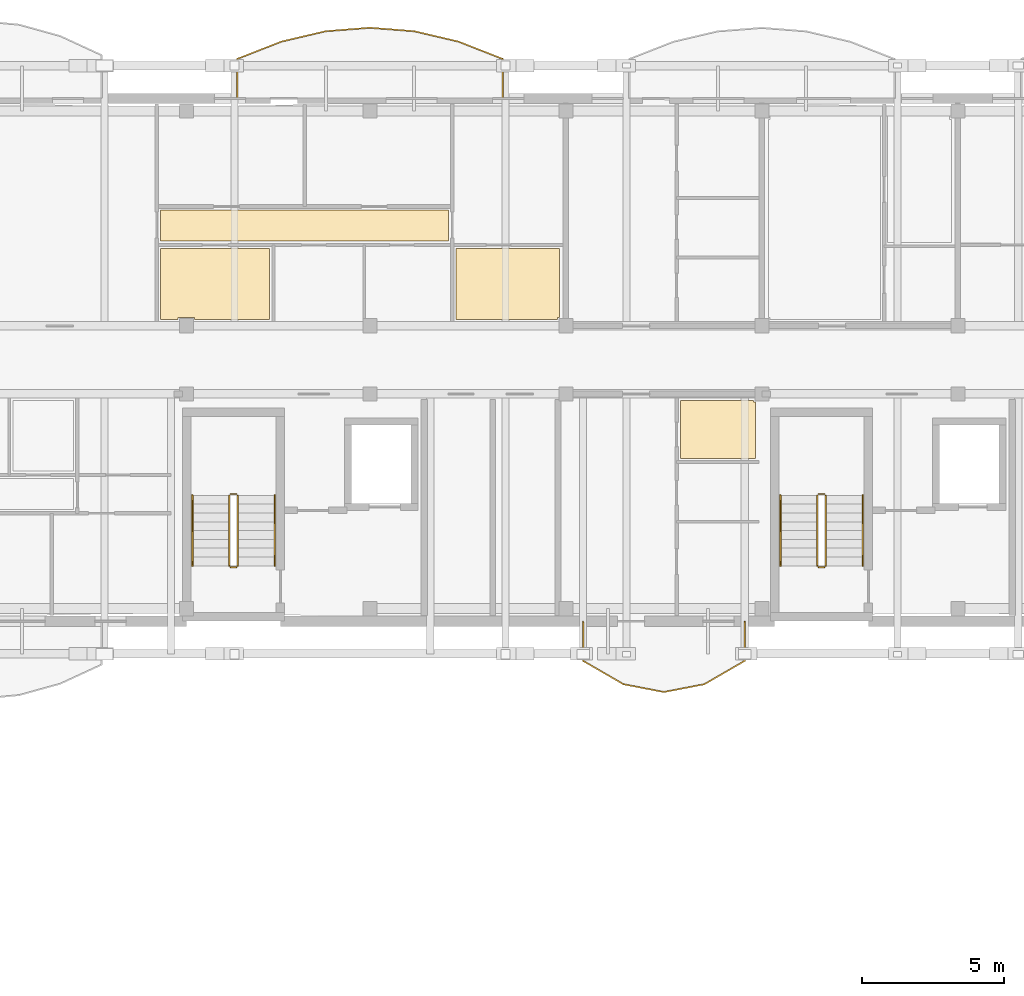
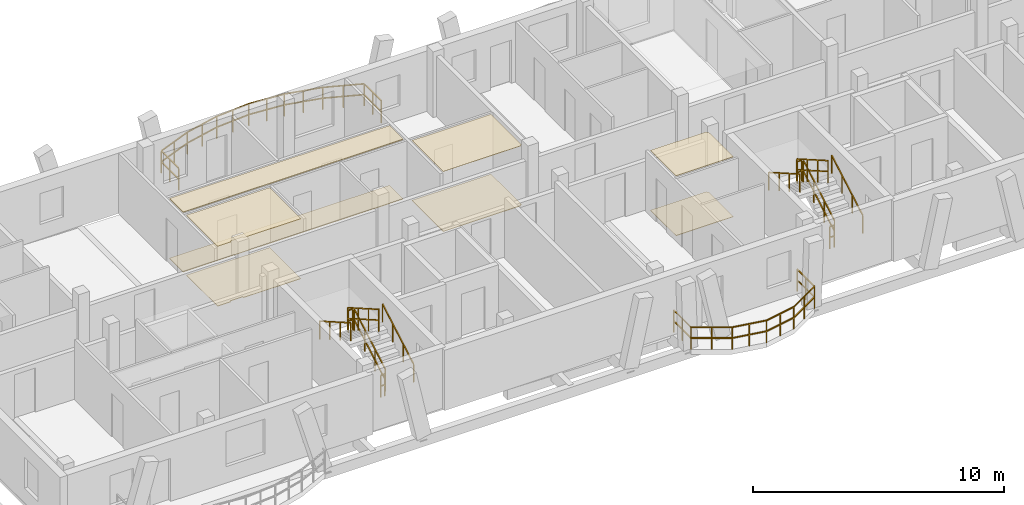
# One storey, part 49 of 50: 14 railings, 8 coverings.
"""IFC4 building model written with IfcOpenShell, lengths in metres."""

from ifc_helpers import new_model, si_unit, direction, frame, origin, origin_2d, place, context, subcontext, project, spatial, polyline, rectangle, outline, extrude, material, layer, layer_set, type_object, element, save


model = new_model("IFC4")

# Units and contexts
model_context = context("Model", 3, precision=1e-05, world=origin(), true_north=direction((0.0, 1.0)))
body_context = subcontext(model_context, "Body", "Model", "MODEL_VIEW")
ifc_project = project(units=[si_unit("LENGTHUNIT", "METRE"), si_unit("AREAUNIT", "SQUARE_METRE"), si_unit("VOLUMEUNIT", "CUBIC_METRE"), si_unit("PLANEANGLEUNIT", "RADIAN"), si_unit("MASSUNIT", "GRAM", prefix="KILO")], contexts=[model_context])

# Site, building, storey
site_placement = place(None, origin())
site = spatial("IfcSite", under=ifc_project, at=site_placement, CompositionType="ELEMENT")
building_placement = place(site_placement, origin())
building = spatial("IfcBuilding", under=site, at=building_placement, Name="Zavelmont Quarter", CompositionType="ELEMENT")
storey_placement = place(building_placement, frame((0.0, 0.0, 11.199951171875)))
storey = spatial("IfcBuildingStorey", under=building, at=storey_placement, Name="L03", CompositionType="ELEMENT", Elevation=11.199951171875)

# Coverings
ifc_material_1 = material(Name="Perforated acoustic gypsum board")
ifc_layer_1 = layer(ifc_material_1, 0.02490234375)
ifc_layer_set_1 = layer_set([ifc_layer_1], Name="Perforated acoustic gypsum board")
covering_type_1 = type_object("IfcCoveringType", Name="CV-CL01", PredefinedType="CEILING", material=ifc_layer_set_1)
covering_1_placement = place(storey_placement, frame((0.0, 0.0, 2.9150390625)))
element("IfcCovering", 1, at=covering_1_placement, inside=storey, type_object=covering_type_1, Name="L03 Kitchen acoustic ceiling", PredefinedType="CEILING", context=body_context, shape_type="SweptSolid", body=[
    extrude(outline(polyline([(126.1298828125, 110.719970703125), (129.969970703125, 110.719970703125), (129.969970703125, 108.22998046875), (127.330078125, 108.22998046875), (127.330078125, 108.2900390625), (126.75, 108.2900390625), (126.75, 108.22998046875), (126.1298828125, 108.22998046875), (126.1298828125, 110.719970703125)])), origin(), (0.0, 0.0, 1.0), 0.02490234375),
])
covering_2_placement = place(storey_placement, frame((0.0, 0.0, 2.9150390625)))
element("IfcCovering", 2, at=covering_2_placement, inside=storey, type_object=covering_type_1, Name="L03 Kitchen acoustic ceiling", PredefinedType="CEILING", context=body_context, shape_type="SweptSolid", body=[
    extrude(outline(polyline([(144.429931640625, 105.3701171875), (147.010009765625, 105.3701171875), (147.010009765625, 105.31005859375), (147.070068359375, 105.31005859375), (147.070068359375, 103.330078125), (144.429931640625, 103.330078125), (144.429931640625, 105.3701171875)])), origin(), (0.0, 0.0, 1.0), 0.02490234375),
])
ifc_material_2 = material(Name="Slatted European ash acoustic baffle ceiling")
ifc_layer_2 = layer(ifc_material_2, 0.0400390625)
ifc_layer_set_2 = layer_set([ifc_layer_2], Name="Slatted European ash acoustic baffle ceiling")
covering_type_2 = type_object("IfcCoveringType", Name="CV-CL02", PredefinedType="CEILING", material=ifc_layer_set_2)
covering_3_placement = place(storey_placement, frame((0.0, 0.0, 2.900146484375)))
element("IfcCovering", 3, at=covering_3_placement, inside=storey, type_object=covering_type_2, Name="L03 Apartment Hall acoustic ceiling", PredefinedType="CEILING", context=body_context, shape_type="SweptSolid", body=[
    extrude(outline(polyline([(126.1298828125, 112.070068359375), (136.27001953125, 112.070068359375), (136.27001953125, 110.97998046875), (126.1298828125, 110.97998046875), (126.1298828125, 112.070068359375)])), origin(), (0.0, 0.0, 1.0), 0.039794921875),
])
ifc_material_3 = material(Name="Moisture-resistant painted gypsum ceiling")
ifc_layer_3 = layer(ifc_material_3, 0.02001953125)
ifc_layer_set_3 = layer_set([ifc_layer_3], Name="Moisture-resistant painted gypsum ceiling")
covering_type_3 = type_object("IfcCoveringType", Name="CV-CL04", PredefinedType="CEILING", material=ifc_layer_set_3)
covering_4_placement = place(storey_placement, frame((0.0, 0.0, 2.920166015625)))
element("IfcCovering", 4, at=covering_4_placement, inside=storey, type_object=covering_type_3, Name="L03 Bathroom acoustic ceiling", PredefinedType="CEILING", context=body_context, shape_type="SweptSolid", body=[
    extrude(outline(polyline([(136.530029296875, 110.719970703125), (140.169921875, 110.719970703125), (140.169921875, 108.2900390625), (140.110107421875, 108.2900390625), (140.110107421875, 108.22998046875), (136.530029296875, 108.22998046875), (136.530029296875, 110.719970703125)])), origin(), (0.0, 0.0, 1.0), 0.019775390625),
])
ifc_material_4 = material(Name="Engineered European oak parquet")
ifc_layer_4 = layer(ifc_material_4, 0.02197265625)
ifc_layer_set_4 = layer_set([ifc_layer_4], Name="Engineered European oak parquet")
covering_type_4 = type_object("IfcCoveringType", Name="CV-FL01", PredefinedType="FLOORING", material=ifc_layer_set_4)
covering_5_placement = place(storey_placement, origin())
element("IfcCovering", 5, at=covering_5_placement, inside=storey, type_object=covering_type_4, Name="L03 Kitchen floor finish", PredefinedType="FLOORING", context=body_context, shape_type="SweptSolid", body=[
    extrude(outline(polyline([(126.1298828125, 110.719970703125), (129.969970703125, 110.719970703125), (129.969970703125, 108.22998046875), (127.330078125, 108.22998046875), (127.330078125, 108.2900390625), (126.75, 108.2900390625), (126.75, 108.22998046875), (126.1298828125, 108.22998046875), (126.1298828125, 110.719970703125)])), origin(), (0.0, 0.0, 1.0), 0.02197265625),
])
covering_6_placement = place(storey_placement, origin())
element("IfcCovering", 6, at=covering_6_placement, inside=storey, type_object=covering_type_4, Name="L03 Kitchen floor finish", PredefinedType="FLOORING", context=body_context, shape_type="SweptSolid", body=[
    extrude(outline(polyline([(144.429931640625, 105.3701171875), (147.010009765625, 105.3701171875), (147.010009765625, 105.31005859375), (147.070068359375, 105.31005859375), (147.070068359375, 103.330078125), (144.429931640625, 103.330078125), (144.429931640625, 105.3701171875)])), origin(), (0.0, 0.0, 1.0), 0.02197265625),
])
ifc_material_5 = material(Name="Honed Belgian bluestone tile", Category="masonry")
ifc_layer_5 = layer(ifc_material_5, 0.030029296875)
ifc_layer_set_5 = layer_set([ifc_layer_5], Name="Honed Belgian bluestone tile")
covering_type_5 = type_object("IfcCoveringType", Name="CV-FL02", PredefinedType="FLOORING", material=ifc_layer_set_5)
covering_7_placement = place(storey_placement, origin())
element("IfcCovering", 7, at=covering_7_placement, inside=storey, type_object=covering_type_5, Name="L03 Apartment Hall floor finish", PredefinedType="FLOORING", context=body_context, shape_type="SweptSolid", body=[
    extrude(outline(polyline([(126.1298828125, 112.070068359375), (136.27001953125, 112.070068359375), (136.27001953125, 110.97998046875), (126.1298828125, 110.97998046875), (126.1298828125, 112.070068359375)])), origin(), (0.0, 0.0, 1.0), 0.030029296875),
])
ifc_material_6 = material(Name="Slip-resistant porcelain tile")
ifc_layer_6 = layer(ifc_material_6, 0.02587890625)
ifc_layer_set_6 = layer_set([ifc_layer_6], Name="Slip-resistant porcelain tile")
covering_type_6 = type_object("IfcCoveringType", Name="CV-FL04", PredefinedType="FLOORING", material=ifc_layer_set_6)
covering_8_placement = place(storey_placement, origin())
element("IfcCovering", 8, at=covering_8_placement, inside=storey, type_object=covering_type_6, Name="L03 Bathroom floor finish", PredefinedType="FLOORING", context=body_context, shape_type="SweptSolid", body=[
    extrude(outline(polyline([(136.530029296875, 110.719970703125), (140.169921875, 110.719970703125), (140.169921875, 108.2900390625), (140.110107421875, 108.2900390625), (140.110107421875, 108.22998046875), (136.530029296875, 108.22998046875), (136.530029296875, 110.719970703125)])), origin(), (0.0, 0.0, 1.0), 0.026123046875),
])

# Railings
ifc_material_7 = material(Name="Powder-coated steel and tempered double safety glass", Category="steel")
railing_type_1 = type_object("IfcRailingType", Name="RL-BAL1", PredefinedType="BALUSTRADE", material=ifc_material_7)
railing_1_placement = place(storey_placement, frame((138.173583984375, 116.02001953125, 0.0)))
element("IfcRailing", 9, at=railing_1_placement, inside=storey, type_object=railing_type_1, Name="L03 Block C curved balcony guard RL-BAL1", PredefinedType="BALUSTRADE", context=body_context, shape_type="SweptSolid", body=[
    extrude(rectangle(XDim=0.048095703125, YDim=0.048095703125, at=origin_2d()), frame((0.0, 0.0, 1.076171875), z_axis=(0.0, 1.0, 0.0), x_axis=(-1.0, 0.0, 0.0)), (0.0, 0.0, 1.0), 1.37646484375),
    extrude(rectangle(XDim=0.048095703125, YDim=0.048095703125, at=origin_2d()), frame((0.0, 0.0, 0.550048828125), z_axis=(0.0, 1.0, 0.0), x_axis=(-1.0, 0.0, 0.0)), (0.0, 0.0, 1.0), 1.37646484375),
    extrude(rectangle(XDim=0.048095703125, YDim=0.048095703125, at=origin_2d()), frame((0.0, 1.37646484375, 1.076171875), z_axis=(-0.931188942351, 0.364536902992, 0.0), x_axis=(-0.364536902992, -0.931188942351, 0.0)), (0.0, 0.0, 1.0), 1.673095703125),
    extrude(rectangle(XDim=0.048095703125, YDim=0.048095703125, at=origin_2d()), frame((0.0, 1.37646484375, 0.550048828125), z_axis=(-0.931188942351, 0.364536902992, 0.0), x_axis=(-0.364536902992, -0.931188942351, 0.0)), (0.0, 0.0, 1.0), 1.673095703125),
    extrude(rectangle(XDim=0.048095703125, YDim=0.048095703125, at=origin_2d()), frame((-1.557861328125, 1.986328125, 1.076171875), z_axis=(-0.973533094709, 0.228546086174, 0.0), x_axis=(-0.228546086174, -0.973533094709, 0.0)), (0.0, 0.0, 1.0), 1.60009765625),
    extrude(rectangle(XDim=0.048095703125, YDim=0.048095703125, at=origin_2d()), frame((-1.557861328125, 1.986328125, 0.550048828125), z_axis=(-0.973533094709, 0.228546086174, 0.0), x_axis=(-0.228546086174, -0.973533094709, 0.0)), (0.0, 0.0, 1.0), 1.60009765625),
    extrude(rectangle(XDim=0.048095703125, YDim=0.048095703125, at=origin_2d()), frame((-3.11572265625, 2.35205078125, 1.076171875), z_axis=(-0.996956262043, 0.077962885874, 0.0), x_axis=(-0.077962885874, -0.996956262043, 0.0)), (0.0, 0.0, 1.0), 1.5625),
    extrude(rectangle(XDim=0.048095703125, YDim=0.048095703125, at=origin_2d()), frame((-3.11572265625, 2.35205078125, 0.550048828125), z_axis=(-0.996956262043, 0.077962885874, 0.0), x_axis=(-0.077962885874, -0.996956262043, 0.0)), (0.0, 0.0, 1.0), 1.5625),
    extrude(rectangle(XDim=0.048095703125, YDim=0.048095703125, at=origin_2d()), frame((-4.673583984375, 2.473876953125, 1.076171875), z_axis=(-0.996956262043, -0.077962885874, 0.0), x_axis=(0.077962885874, -0.996956262043, 0.0)), (0.0, 0.0, 1.0), 1.5625),
    extrude(rectangle(XDim=0.048095703125, YDim=0.048095703125, at=origin_2d()), frame((-4.673583984375, 2.473876953125, 0.550048828125), z_axis=(-0.996956262043, -0.077962885874, 0.0), x_axis=(0.077962885874, -0.996956262043, 0.0)), (0.0, 0.0, 1.0), 1.5625),
    extrude(rectangle(XDim=0.048095703125, YDim=0.048095703125, at=origin_2d()), frame((-6.2314453125, 2.35205078125, 1.076171875), z_axis=(-0.973533094709, -0.228546086174, 0.0), x_axis=(0.228546086174, -0.973533094709, 0.0)), (0.0, 0.0, 1.0), 1.60009765625),
    extrude(rectangle(XDim=0.048095703125, YDim=0.048095703125, at=origin_2d()), frame((-6.2314453125, 2.35205078125, 0.550048828125), z_axis=(-0.973533094709, -0.228546086174, 0.0), x_axis=(0.228546086174, -0.973533094709, 0.0)), (0.0, 0.0, 1.0), 1.60009765625),
    extrude(rectangle(XDim=0.048095703125, YDim=0.048095703125, at=origin_2d()), frame((-7.789306640625, 1.986328125, 1.076171875), z_axis=(-0.931188942351, -0.364536902992, 0.0), x_axis=(0.364536902992, -0.931188942351, 0.0)), (0.0, 0.0, 1.0), 1.673095703125),
    extrude(rectangle(XDim=0.048095703125, YDim=0.048095703125, at=origin_2d()), frame((-7.789306640625, 1.986328125, 0.550048828125), z_axis=(-0.931188942351, -0.364536902992, 0.0), x_axis=(0.364536902992, -0.931188942351, 0.0)), (0.0, 0.0, 1.0), 1.673095703125),
    extrude(rectangle(XDim=0.048095703125, YDim=0.048095703125, at=origin_2d()), frame((-9.34716796875, 1.37646484375, 1.076171875), z_axis=(0.0, -1.0, 0.0), x_axis=(1.0, 0.0, 0.0)), (0.0, 0.0, 1.0), 1.37646484375),
    extrude(rectangle(XDim=0.048095703125, YDim=0.048095703125, at=origin_2d()), frame((-9.34716796875, 1.37646484375, 0.550048828125), z_axis=(0.0, -1.0, 0.0), x_axis=(1.0, 0.0, 0.0)), (0.0, 0.0, 1.0), 1.37646484375),
    extrude(rectangle(XDim=0.0419921875, YDim=0.0419921875, at=origin_2d()), origin(), (0.0, 0.0, 1.0), 1.052001953125),
    extrude(rectangle(XDim=0.0419921875, YDim=0.0419921875, at=origin_2d()), frame((0.0, 0.688232421875, 0.0)), (0.0, 0.0, 1.0), 1.052001953125),
    extrude(rectangle(XDim=0.0419921875, YDim=0.0419921875, at=origin_2d()), frame((0.0, 1.37646484375, 0.0)), (0.0, 0.0, 1.0), 1.052001953125),
    extrude(rectangle(XDim=0.0419921875, YDim=0.0419921875, at=origin_2d()), frame((-0.77880859375, 1.681396484375, 0.0)), (0.0, 0.0, 1.0), 1.052001953125),
    extrude(rectangle(XDim=0.0419921875, YDim=0.0419921875, at=origin_2d()), frame((-1.557861328125, 1.986328125, 0.0)), (0.0, 0.0, 1.0), 1.052001953125),
    extrude(rectangle(XDim=0.0419921875, YDim=0.0419921875, at=origin_2d()), frame((-2.3369140625, 2.169189453125, 0.0)), (0.0, 0.0, 1.0), 1.052001953125),
    extrude(rectangle(XDim=0.0419921875, YDim=0.0419921875, at=origin_2d()), frame((-3.11572265625, 2.35205078125, 0.0)), (0.0, 0.0, 1.0), 1.052001953125),
    extrude(rectangle(XDim=0.0419921875, YDim=0.0419921875, at=origin_2d()), frame((-3.89453125, 2.4130859375, 0.0)), (0.0, 0.0, 1.0), 1.052001953125),
    extrude(rectangle(XDim=0.0419921875, YDim=0.0419921875, at=origin_2d()), frame((-4.673583984375, 2.473876953125, 0.0)), (0.0, 0.0, 1.0), 1.052001953125),
    extrude(rectangle(XDim=0.0419921875, YDim=0.0419921875, at=origin_2d()), frame((-5.45263671875, 2.4130859375, 0.0)), (0.0, 0.0, 1.0), 1.052001953125),
    extrude(rectangle(XDim=0.0419921875, YDim=0.0419921875, at=origin_2d()), frame((-6.2314453125, 2.35205078125, 0.0)), (0.0, 0.0, 1.0), 1.052001953125),
    extrude(rectangle(XDim=0.0419921875, YDim=0.0419921875, at=origin_2d()), frame((-7.01025390625, 2.169189453125, 0.0)), (0.0, 0.0, 1.0), 1.052001953125),
    extrude(rectangle(XDim=0.0419921875, YDim=0.0419921875, at=origin_2d()), frame((-7.789306640625, 1.986328125, 0.0)), (0.0, 0.0, 1.0), 1.052001953125),
    extrude(rectangle(XDim=0.0419921875, YDim=0.0419921875, at=origin_2d()), frame((-8.568359375, 1.681396484375, 0.0)), (0.0, 0.0, 1.0), 1.052001953125),
    extrude(rectangle(XDim=0.0419921875, YDim=0.0419921875, at=origin_2d()), frame((-9.34716796875, 1.37646484375, 0.0)), (0.0, 0.0, 1.0), 1.052001953125),
    extrude(rectangle(XDim=0.0419921875, YDim=0.0419921875, at=origin_2d()), frame((-9.34716796875, 0.688232421875, 0.0)), (0.0, 0.0, 1.0), 1.052001953125),
    extrude(rectangle(XDim=0.0419921875, YDim=0.0419921875, at=origin_2d()), frame((-9.34716796875, 0.0, 0.0)), (0.0, 0.0, 1.0), 1.052001953125),
])
railing_2_placement = place(storey_placement, frame((141.004150390625, 97.580078125, 0.0)))
element("IfcRailing", 10, at=railing_2_placement, inside=storey, type_object=railing_type_1, Name="L03 Block C curved balcony guard RL-BAL1", PredefinedType="BALUSTRADE", context=body_context, shape_type="SweptSolid", body=[
    extrude(rectangle(XDim=0.048095703125, YDim=0.048095703125, at=origin_2d()), frame((0.0, 0.0, 1.076171875), z_axis=(0.0, -1.0, 0.0), x_axis=(1.0, 0.0, 0.0)), (0.0, 0.0, 1.0), 1.376708984375),
    extrude(rectangle(XDim=0.048095703125, YDim=0.048095703125, at=origin_2d()), frame((0.0, 0.0, 0.550048828125), z_axis=(0.0, -1.0, 0.0), x_axis=(1.0, 0.0, 0.0)), (0.0, 0.0, 1.0), 1.376708984375),
    extrude(rectangle(XDim=0.048095703125, YDim=0.048095703125, at=origin_2d()), frame((0.0, -1.376708984375, 1.076171875), z_axis=(0.865626206646, -0.500690793172, 0.0), x_axis=(0.500690793172, 0.865626206646, 0.0)), (0.0, 0.0, 1.0), 1.643798828125),
    extrude(rectangle(XDim=0.048095703125, YDim=0.048095703125, at=origin_2d()), frame((0.0, -1.376708984375, 0.550048828125), z_axis=(0.865626206646, -0.500690793172, 0.0), x_axis=(0.500690793172, 0.865626206646, 0.0)), (0.0, 0.0, 1.0), 1.643798828125),
    extrude(rectangle(XDim=0.048095703125, YDim=0.048095703125, at=origin_2d()), frame((1.4228515625, -2.19970703125, 1.076171875), z_axis=(0.981911403025, -0.189340953337, 0.0), x_axis=(0.189340953337, 0.981911403025, 0.0)), (0.0, 0.0, 1.0), 1.44921875),
    extrude(rectangle(XDim=0.048095703125, YDim=0.048095703125, at=origin_2d()), frame((1.4228515625, -2.19970703125, 0.550048828125), z_axis=(0.981911403025, -0.189340953337, 0.0), x_axis=(0.189340953337, 0.981911403025, 0.0)), (0.0, 0.0, 1.0), 1.44921875),
    extrude(rectangle(XDim=0.048095703125, YDim=0.048095703125, at=origin_2d()), frame((2.845947265625, -2.47412109375, 1.076171875), z_axis=(0.981905362493, 0.1893722765, 0.0), x_axis=(-0.1893722765, 0.981905362493, 0.0)), (0.0, 0.0, 1.0), 1.448974609375),
    extrude(rectangle(XDim=0.048095703125, YDim=0.048095703125, at=origin_2d()), frame((2.845947265625, -2.47412109375, 0.550048828125), z_axis=(0.981905362493, 0.1893722765, 0.0), x_axis=(-0.1893722765, 0.981905362493, 0.0)), (0.0, 0.0, 1.0), 1.448974609375),
    extrude(rectangle(XDim=0.048095703125, YDim=0.048095703125, at=origin_2d()), frame((4.268798828125, -2.19970703125, 1.076171875), z_axis=(0.865626206646, 0.500690793172, 0.0), x_axis=(-0.500690793172, 0.865626206646, 0.0)), (0.0, 0.0, 1.0), 1.643798828125),
    extrude(rectangle(XDim=0.048095703125, YDim=0.048095703125, at=origin_2d()), frame((4.268798828125, -2.19970703125, 0.550048828125), z_axis=(0.865626206646, 0.500690793172, 0.0), x_axis=(-0.500690793172, 0.865626206646, 0.0)), (0.0, 0.0, 1.0), 1.643798828125),
    extrude(rectangle(XDim=0.048095703125, YDim=0.048095703125, at=origin_2d()), frame((5.691650390625, -1.376708984375, 1.076171875), z_axis=(0.0, 1.0, 0.0), x_axis=(-1.0, 0.0, 0.0)), (0.0, 0.0, 1.0), 1.376708984375),
    extrude(rectangle(XDim=0.048095703125, YDim=0.048095703125, at=origin_2d()), frame((5.691650390625, -1.376708984375, 0.550048828125), z_axis=(0.0, 1.0, 0.0), x_axis=(-1.0, 0.0, 0.0)), (0.0, 0.0, 1.0), 1.376708984375),
    extrude(rectangle(XDim=0.0419921875, YDim=0.0419921875, at=origin_2d()), origin(), (0.0, 0.0, 1.0), 1.052001953125),
    extrude(rectangle(XDim=0.0419921875, YDim=0.0419921875, at=origin_2d()), frame((0.0, -0.6884765625, 0.0)), (0.0, 0.0, 1.0), 1.052001953125),
    extrude(rectangle(XDim=0.0419921875, YDim=0.0419921875, at=origin_2d()), frame((0.0, -1.376708984375, 0.0)), (0.0, 0.0, 1.0), 1.052001953125),
    extrude(rectangle(XDim=0.0419921875, YDim=0.0419921875, at=origin_2d()), frame((0.71142578125, -1.7880859375, 0.0)), (0.0, 0.0, 1.0), 1.052001953125),
    extrude(rectangle(XDim=0.0419921875, YDim=0.0419921875, at=origin_2d()), frame((1.4228515625, -2.19970703125, 0.0)), (0.0, 0.0, 1.0), 1.052001953125),
    extrude(rectangle(XDim=0.0419921875, YDim=0.0419921875, at=origin_2d()), frame((2.13427734375, -2.3369140625, 0.0)), (0.0, 0.0, 1.0), 1.052001953125),
    extrude(rectangle(XDim=0.0419921875, YDim=0.0419921875, at=origin_2d()), frame((2.845947265625, -2.47412109375, 0.0)), (0.0, 0.0, 1.0), 1.052001953125),
    extrude(rectangle(XDim=0.0419921875, YDim=0.0419921875, at=origin_2d()), frame((3.557373046875, -2.3369140625, 0.0)), (0.0, 0.0, 1.0), 1.052001953125),
    extrude(rectangle(XDim=0.0419921875, YDim=0.0419921875, at=origin_2d()), frame((4.268798828125, -2.19970703125, 0.0)), (0.0, 0.0, 1.0), 1.052001953125),
    extrude(rectangle(XDim=0.0419921875, YDim=0.0419921875, at=origin_2d()), frame((4.980224609375, -1.7880859375, 0.0)), (0.0, 0.0, 1.0), 1.052001953125),
    extrude(rectangle(XDim=0.0419921875, YDim=0.0419921875, at=origin_2d()), frame((5.691650390625, -1.376708984375, 0.0)), (0.0, 0.0, 1.0), 1.052001953125),
    extrude(rectangle(XDim=0.0419921875, YDim=0.0419921875, at=origin_2d()), frame((5.691650390625, -0.6884765625, 0.0)), (0.0, 0.0, 1.0), 1.052001953125),
    extrude(rectangle(XDim=0.0419921875, YDim=0.0419921875, at=origin_2d()), frame((5.691650390625, 0.0, 0.0)), (0.0, 0.0, 1.0), 1.052001953125),
])
ifc_material_8 = material(Name="Powder-coated steel stair guardrail", Category="steel")
railing_type_2 = type_object("IfcRailingType", Name="RL-GRD1", PredefinedType="GUARDRAIL", material=ifc_material_8)
railing_3_placement = place(storey_placement, frame((128.85009765625, 99.550048828125, 0.177734375)))
element("IfcRailing", 11, at=railing_3_placement, inside=storey, type_object=railing_type_2, Name="L03 ST05 stair guardrail 1", PredefinedType="GUARDRAIL", context=body_context, shape_type="SweptSolid", body=[
    extrude(rectangle(XDim=0.048095703125, YDim=0.048095703125, at=origin_2d()), frame((0.0, 0.0, 1.076171875), z_axis=(0.0, 0.867453774394, 0.497517787913), x_axis=(-1.0, 0.0, 0.0)), (0.0, 0.0, 1.0), 2.85888671875),
    extrude(rectangle(XDim=0.048095703125, YDim=0.048095703125, at=origin_2d()), frame((0.0, 0.0, 0.550048828125), z_axis=(0.0, 0.867453774394, 0.497517787913), x_axis=(-1.0, 0.0, 0.0)), (0.0, 0.0, 1.0), 2.85888671875),
    extrude(rectangle(XDim=0.0419921875, YDim=0.0419921875, at=origin_2d()), origin(), (0.0, 0.0, 1.0), 1.052001953125),
    extrude(rectangle(XDim=0.0419921875, YDim=0.0419921875, at=origin_2d()), frame((0.0, 0.82666015625, 0.47412109375)), (0.0, 0.0, 1.0), 1.052001953125),
    extrude(rectangle(XDim=0.0419921875, YDim=0.0419921875, at=origin_2d()), frame((0.0, 1.6533203125, 0.9482421875)), (0.0, 0.0, 1.0), 1.052001953125),
    extrude(rectangle(XDim=0.0419921875, YDim=0.0419921875, at=origin_2d()), frame((0.0, 2.47998046875, 1.42236328125)), (0.0, 0.0, 1.0), 1.052001953125),
])
railing_4_placement = place(storey_placement, frame((128.800048828125, 102.080078125, 1.60009765625)))
element("IfcRailing", 12, at=railing_4_placement, inside=storey, type_object=railing_type_2, Name="L03 ST05 stair guardrail 2", PredefinedType="GUARDRAIL", context=body_context, shape_type="SweptSolid", body=[
    extrude(rectangle(XDim=0.048095703125, YDim=0.048095703125, at=origin_2d()), frame((0.0, 0.0, 1.076171875), z_axis=(-1.0, 0.0, 0.0), x_axis=(0.0, -1.0, 0.0)), (0.0, 0.0, 1.0), 0.199951171875),
    extrude(rectangle(XDim=0.048095703125, YDim=0.048095703125, at=origin_2d()), frame((0.0, 0.0, 0.550048828125), z_axis=(-1.0, 0.0, 0.0), x_axis=(0.0, -1.0, 0.0)), (0.0, 0.0, 1.0), 0.199951171875),
    extrude(rectangle(XDim=0.0419921875, YDim=0.0419921875, at=origin_2d()), origin(), (0.0, 0.0, 1.0), 1.052001953125),
    extrude(rectangle(XDim=0.0419921875, YDim=0.0419921875, at=origin_2d()), frame((-0.199951171875, 0.0, 0.0)), (0.0, 0.0, 1.0), 1.052001953125),
])
railing_5_placement = place(storey_placement, frame((128.550048828125, 102.030029296875, 1.77783203125)))
element("IfcRailing", 13, at=railing_5_placement, inside=storey, type_object=railing_type_2, Name="L03 ST05 stair guardrail 3", PredefinedType="GUARDRAIL", context=body_context, shape_type="SweptSolid", body=[
    extrude(rectangle(XDim=0.048095703125, YDim=0.048095703125, at=origin_2d()), frame((0.0, 0.0, 1.076171875), z_axis=(0.0, -0.867490628297, 0.497453525283), x_axis=(1.0, 0.0, 0.0)), (0.0, 0.0, 1.0), 2.85888671875),
    extrude(rectangle(XDim=0.048095703125, YDim=0.048095703125, at=origin_2d()), frame((0.0, 0.0, 0.550048828125), z_axis=(0.0, -0.867490628297, 0.497453525283), x_axis=(1.0, 0.0, 0.0)), (0.0, 0.0, 1.0), 2.85888671875),
    extrude(rectangle(XDim=0.0419921875, YDim=0.0419921875, at=origin_2d()), origin(), (0.0, 0.0, 1.0), 1.052001953125),
    extrude(rectangle(XDim=0.0419921875, YDim=0.0419921875, at=origin_2d()), frame((0.0, -0.82666015625, 0.47412109375)), (0.0, 0.0, 1.0), 1.052001953125),
    extrude(rectangle(XDim=0.0419921875, YDim=0.0419921875, at=origin_2d()), frame((0.0, -1.6533203125, 0.947998046875)), (0.0, 0.0, 1.0), 1.052001953125),
    extrude(rectangle(XDim=0.0419921875, YDim=0.0419921875, at=origin_2d()), frame((0.0, -2.47998046875, 1.422119140625)), (0.0, 0.0, 1.0), 1.052001953125),
])
railing_6_placement = place(storey_placement, frame((128.800048828125, 99.5, 0.0)))
element("IfcRailing", 14, at=railing_6_placement, inside=storey, type_object=railing_type_2, Name="L03 ST05 stair guardrail 4", PredefinedType="GUARDRAIL", context=body_context, shape_type="SweptSolid", body=[
    extrude(rectangle(XDim=0.048095703125, YDim=0.048095703125, at=origin_2d()), frame((0.0, 0.0, 1.076171875), z_axis=(-1.0, 0.0, 0.0), x_axis=(0.0, -1.0, 0.0)), (0.0, 0.0, 1.0), 0.199951171875),
    extrude(rectangle(XDim=0.048095703125, YDim=0.048095703125, at=origin_2d()), frame((0.0, 0.0, 0.550048828125), z_axis=(-1.0, 0.0, 0.0), x_axis=(0.0, -1.0, 0.0)), (0.0, 0.0, 1.0), 0.199951171875),
    extrude(rectangle(XDim=0.0419921875, YDim=0.0419921875, at=origin_2d()), origin(), (0.0, 0.0, 1.0), 1.052001953125),
    extrude(rectangle(XDim=0.0419921875, YDim=0.0419921875, at=origin_2d()), frame((-0.199951171875, 0.0, 0.0)), (0.0, 0.0, 1.0), 1.052001953125),
])
railing_7_placement = place(storey_placement, frame((149.550048828125, 99.550048828125, 0.177734375)))
element("IfcRailing", 15, at=railing_7_placement, inside=storey, type_object=railing_type_2, Name="L03 ST06 stair guardrail 1", PredefinedType="GUARDRAIL", context=body_context, shape_type="SweptSolid", body=[
    extrude(rectangle(XDim=0.048095703125, YDim=0.048095703125, at=origin_2d()), frame((0.0, 0.0, 1.076171875), z_axis=(0.0, 0.867453774394, 0.497517787913), x_axis=(-1.0, 0.0, 0.0)), (0.0, 0.0, 1.0), 2.85888671875),
    extrude(rectangle(XDim=0.048095703125, YDim=0.048095703125, at=origin_2d()), frame((0.0, 0.0, 0.550048828125), z_axis=(0.0, 0.867453774394, 0.497517787913), x_axis=(-1.0, 0.0, 0.0)), (0.0, 0.0, 1.0), 2.85888671875),
    extrude(rectangle(XDim=0.0419921875, YDim=0.0419921875, at=origin_2d()), origin(), (0.0, 0.0, 1.0), 1.052001953125),
    extrude(rectangle(XDim=0.0419921875, YDim=0.0419921875, at=origin_2d()), frame((0.0, 0.82666015625, 0.47412109375)), (0.0, 0.0, 1.0), 1.052001953125),
    extrude(rectangle(XDim=0.0419921875, YDim=0.0419921875, at=origin_2d()), frame((0.0, 1.6533203125, 0.9482421875)), (0.0, 0.0, 1.0), 1.052001953125),
    extrude(rectangle(XDim=0.0419921875, YDim=0.0419921875, at=origin_2d()), frame((0.0, 2.47998046875, 1.42236328125)), (0.0, 0.0, 1.0), 1.052001953125),
])
railing_8_placement = place(storey_placement, frame((149.5, 102.080078125, 1.60009765625)))
element("IfcRailing", 16, at=railing_8_placement, inside=storey, type_object=railing_type_2, Name="L03 ST06 stair guardrail 2", PredefinedType="GUARDRAIL", context=body_context, shape_type="SweptSolid", body=[
    extrude(rectangle(XDim=0.048095703125, YDim=0.048095703125, at=origin_2d()), frame((0.0, 0.0, 1.076171875), z_axis=(-1.0, 0.0, 0.0), x_axis=(0.0, -1.0, 0.0)), (0.0, 0.0, 1.0), 0.199951171875),
    extrude(rectangle(XDim=0.048095703125, YDim=0.048095703125, at=origin_2d()), frame((0.0, 0.0, 0.550048828125), z_axis=(-1.0, 0.0, 0.0), x_axis=(0.0, -1.0, 0.0)), (0.0, 0.0, 1.0), 0.199951171875),
    extrude(rectangle(XDim=0.0419921875, YDim=0.0419921875, at=origin_2d()), origin(), (0.0, 0.0, 1.0), 1.052001953125),
    extrude(rectangle(XDim=0.0419921875, YDim=0.0419921875, at=origin_2d()), frame((-0.199951171875, 0.0, 0.0)), (0.0, 0.0, 1.0), 1.052001953125),
])
railing_9_placement = place(storey_placement, frame((149.25, 102.030029296875, 1.77783203125)))
element("IfcRailing", 17, at=railing_9_placement, inside=storey, type_object=railing_type_2, Name="L03 ST06 stair guardrail 3", PredefinedType="GUARDRAIL", context=body_context, shape_type="SweptSolid", body=[
    extrude(rectangle(XDim=0.048095703125, YDim=0.048095703125, at=origin_2d()), frame((0.0, 0.0, 1.076171875), z_axis=(0.0, -0.867490628297, 0.497453525283), x_axis=(1.0, 0.0, 0.0)), (0.0, 0.0, 1.0), 2.85888671875),
    extrude(rectangle(XDim=0.048095703125, YDim=0.048095703125, at=origin_2d()), frame((0.0, 0.0, 0.550048828125), z_axis=(0.0, -0.867490628297, 0.497453525283), x_axis=(1.0, 0.0, 0.0)), (0.0, 0.0, 1.0), 2.85888671875),
    extrude(rectangle(XDim=0.0419921875, YDim=0.0419921875, at=origin_2d()), origin(), (0.0, 0.0, 1.0), 1.052001953125),
    extrude(rectangle(XDim=0.0419921875, YDim=0.0419921875, at=origin_2d()), frame((0.0, -0.82666015625, 0.47412109375)), (0.0, 0.0, 1.0), 1.052001953125),
    extrude(rectangle(XDim=0.0419921875, YDim=0.0419921875, at=origin_2d()), frame((0.0, -1.6533203125, 0.947998046875)), (0.0, 0.0, 1.0), 1.052001953125),
    extrude(rectangle(XDim=0.0419921875, YDim=0.0419921875, at=origin_2d()), frame((0.0, -2.47998046875, 1.422119140625)), (0.0, 0.0, 1.0), 1.052001953125),
])
railing_10_placement = place(storey_placement, frame((149.5, 99.5, 0.0)))
element("IfcRailing", 18, at=railing_10_placement, inside=storey, type_object=railing_type_2, Name="L03 ST06 stair guardrail 4", PredefinedType="GUARDRAIL", context=body_context, shape_type="SweptSolid", body=[
    extrude(rectangle(XDim=0.048095703125, YDim=0.048095703125, at=origin_2d()), frame((0.0, 0.0, 1.076171875), z_axis=(-1.0, 0.0, 0.0), x_axis=(0.0, -1.0, 0.0)), (0.0, 0.0, 1.0), 0.199951171875),
    extrude(rectangle(XDim=0.048095703125, YDim=0.048095703125, at=origin_2d()), frame((0.0, 0.0, 0.550048828125), z_axis=(-1.0, 0.0, 0.0), x_axis=(0.0, -1.0, 0.0)), (0.0, 0.0, 1.0), 0.199951171875),
    extrude(rectangle(XDim=0.0419921875, YDim=0.0419921875, at=origin_2d()), origin(), (0.0, 0.0, 1.0), 1.052001953125),
    extrude(rectangle(XDim=0.0419921875, YDim=0.0419921875, at=origin_2d()), frame((-0.199951171875, 0.0, 0.0)), (0.0, 0.0, 1.0), 1.052001953125),
])
ifc_material_9 = material(Name="Brushed stainless-steel wall handrail", Category="steel")
railing_type_3 = type_object("IfcRailingType", Name="RL-HND1", PredefinedType="HANDRAIL", material=ifc_material_9)
railing_11_placement = place(storey_placement, frame((130.14990234375, 99.550048828125, 0.177734375)))
element("IfcRailing", 19, at=railing_11_placement, inside=storey, type_object=railing_type_3, Name="L03 ST05 stair handrail 1", PredefinedType="HANDRAIL", context=body_context, shape_type="SweptSolid", body=[
    extrude(rectangle(XDim=0.048095703125, YDim=0.048095703125, at=origin_2d()), frame((0.0, 0.0, 0.8759765625), z_axis=(0.0, 0.867453774394, 0.497517787913), x_axis=(-1.0, 0.0, 0.0)), (0.0, 0.0, 1.0), 2.85888671875),
    extrude(rectangle(XDim=0.0419921875, YDim=0.0419921875, at=origin_2d()), origin(), (0.0, 0.0, 1.0), 0.851806640625),
    extrude(rectangle(XDim=0.0419921875, YDim=0.0419921875, at=origin_2d()), frame((0.0, 0.82666015625, 0.47412109375)), (0.0, 0.0, 1.0), 0.851806640625),
    extrude(rectangle(XDim=0.0419921875, YDim=0.0419921875, at=origin_2d()), frame((0.0, 1.6533203125, 0.9482421875)), (0.0, 0.0, 1.0), 0.851806640625),
    extrude(rectangle(XDim=0.0419921875, YDim=0.0419921875, at=origin_2d()), frame((0.0, 2.47998046875, 1.42236328125)), (0.0, 0.0, 1.0), 0.851806640625),
])
railing_12_placement = place(storey_placement, frame((127.25, 102.030029296875, 1.77783203125)))
element("IfcRailing", 20, at=railing_12_placement, inside=storey, type_object=railing_type_3, Name="L03 ST05 stair handrail 2", PredefinedType="HANDRAIL", context=body_context, shape_type="SweptSolid", body=[
    extrude(rectangle(XDim=0.048095703125, YDim=0.048095703125, at=origin_2d()), frame((0.0, 0.0, 0.8759765625), z_axis=(0.0, -0.867490628297, 0.497453525283), x_axis=(1.0, 0.0, 0.0)), (0.0, 0.0, 1.0), 2.85888671875),
    extrude(rectangle(XDim=0.0419921875, YDim=0.0419921875, at=origin_2d()), origin(), (0.0, 0.0, 1.0), 0.851806640625),
    extrude(rectangle(XDim=0.0419921875, YDim=0.0419921875, at=origin_2d()), frame((0.0, -0.82666015625, 0.47412109375)), (0.0, 0.0, 1.0), 0.851806640625),
    extrude(rectangle(XDim=0.0419921875, YDim=0.0419921875, at=origin_2d()), frame((0.0, -1.6533203125, 0.947998046875)), (0.0, 0.0, 1.0), 0.851806640625),
    extrude(rectangle(XDim=0.0419921875, YDim=0.0419921875, at=origin_2d()), frame((0.0, -2.47998046875, 1.422119140625)), (0.0, 0.0, 1.0), 0.851806640625),
])
railing_13_placement = place(storey_placement, frame((150.85009765625, 99.550048828125, 0.177734375)))
element("IfcRailing", 21, at=railing_13_placement, inside=storey, type_object=railing_type_3, Name="L03 ST06 stair handrail 1", PredefinedType="HANDRAIL", context=body_context, shape_type="SweptSolid", body=[
    extrude(rectangle(XDim=0.048095703125, YDim=0.048095703125, at=origin_2d()), frame((0.0, 0.0, 0.8759765625), z_axis=(0.0, 0.867453774394, 0.497517787913), x_axis=(-1.0, 0.0, 0.0)), (0.0, 0.0, 1.0), 2.85888671875),
    extrude(rectangle(XDim=0.0419921875, YDim=0.0419921875, at=origin_2d()), origin(), (0.0, 0.0, 1.0), 0.851806640625),
    extrude(rectangle(XDim=0.0419921875, YDim=0.0419921875, at=origin_2d()), frame((0.0, 0.82666015625, 0.47412109375)), (0.0, 0.0, 1.0), 0.851806640625),
    extrude(rectangle(XDim=0.0419921875, YDim=0.0419921875, at=origin_2d()), frame((0.0, 1.6533203125, 0.9482421875)), (0.0, 0.0, 1.0), 0.851806640625),
    extrude(rectangle(XDim=0.0419921875, YDim=0.0419921875, at=origin_2d()), frame((0.0, 2.47998046875, 1.42236328125)), (0.0, 0.0, 1.0), 0.851806640625),
])
railing_14_placement = place(storey_placement, frame((147.949951171875, 102.030029296875, 1.77783203125)))
element("IfcRailing", 22, at=railing_14_placement, inside=storey, type_object=railing_type_3, Name="L03 ST06 stair handrail 2", PredefinedType="HANDRAIL", context=body_context, shape_type="SweptSolid", body=[
    extrude(rectangle(XDim=0.048095703125, YDim=0.048095703125, at=origin_2d()), frame((0.0, 0.0, 0.8759765625), z_axis=(0.0, -0.867490628297, 0.497453525283), x_axis=(1.0, 0.0, 0.0)), (0.0, 0.0, 1.0), 2.85888671875),
    extrude(rectangle(XDim=0.0419921875, YDim=0.0419921875, at=origin_2d()), origin(), (0.0, 0.0, 1.0), 0.851806640625),
    extrude(rectangle(XDim=0.0419921875, YDim=0.0419921875, at=origin_2d()), frame((0.0, -0.82666015625, 0.47412109375)), (0.0, 0.0, 1.0), 0.851806640625),
    extrude(rectangle(XDim=0.0419921875, YDim=0.0419921875, at=origin_2d()), frame((0.0, -1.6533203125, 0.947998046875)), (0.0, 0.0, 1.0), 0.851806640625),
    extrude(rectangle(XDim=0.0419921875, YDim=0.0419921875, at=origin_2d()), frame((0.0, -2.47998046875, 1.422119140625)), (0.0, 0.0, 1.0), 0.851806640625),
])

save(model, "model.ifc")
